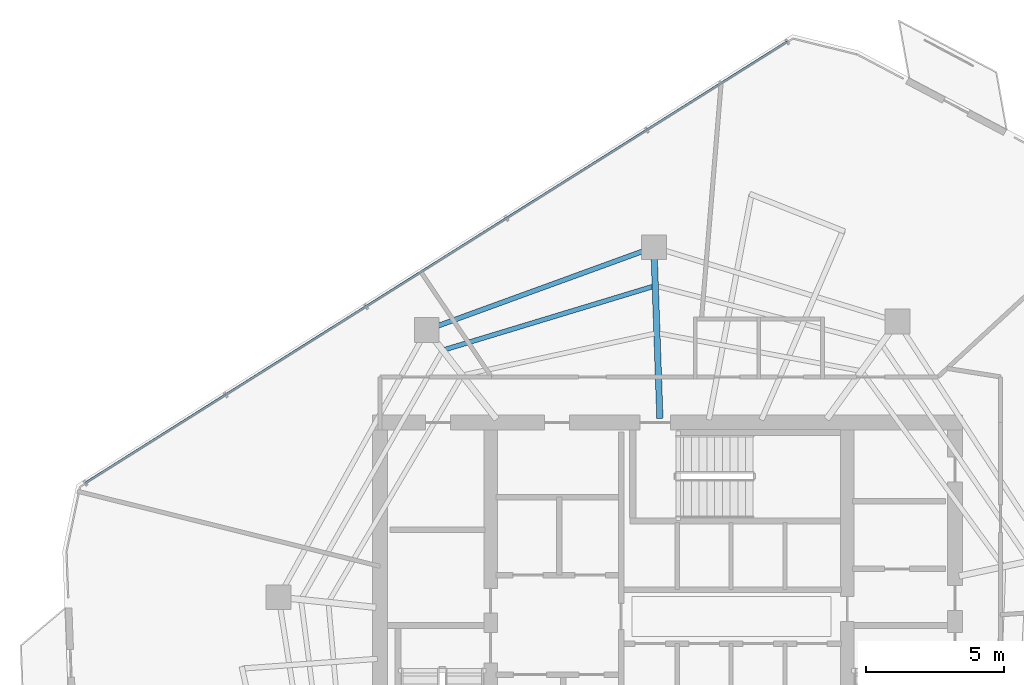
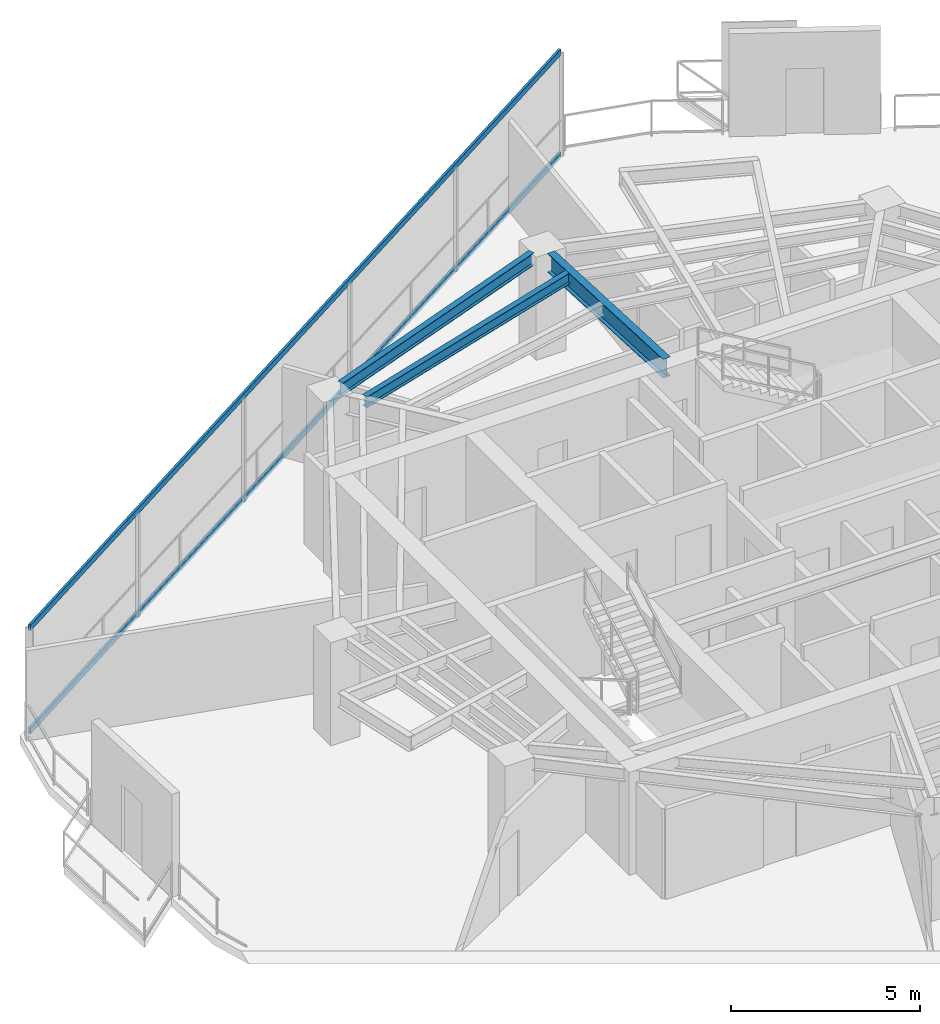
# One storey, part 11 of 19: 3 beams, 2 members, 1 element without a shape of its own.
"""IFC4 building model written with IfcOpenShell, lengths in metres."""

import ifcopenshell
import ifcopenshell.guid

model = None  # the IFC model being written
_history = None  # IfcOwnerHistory: only IFC2X3 demands one
_inside = {}  # id of a spatial element -> (the spatial element, [elements in it])
_under = {}  # id of a project, library or spatial element -> (it, [spatial elements below it])
_declared = {}  # id of a project -> (the project, [libraries it declares])
_typed = {}  # id of a type object -> (the type object, [elements of that type])
_made_of = {}  # id of a material, layer set ... -> (it, [elements and type objects made of it])


def new_model(schema):
    """Start an empty IFC model of exactly this schema.

    Asked for "IFC4X3", IfcOpenShell would pick the latest addendum, in which some entities
    have other attributes; the version numbers below select the first issue.
    IFC2X3 requires an IfcOwnerHistory on every rooted entity: one is made here for all.
    """
    global model, _history
    if schema == "IFC4X3":
        model = ifcopenshell.file(schema_version=(4, 3, 0, 0))
    else:
        model = ifcopenshell.file(schema=schema)
    _inside.clear()
    _under.clear()
    _declared.clear()
    _typed.clear()
    _made_of.clear()
    _history = None
    if model.schema == "IFC2X3":
        org = make("IfcOrganization", Name="unknown")
        user = make(
            "IfcPersonAndOrganization",
            ThePerson=make("IfcPerson", FamilyName="unknown"),
            TheOrganization=org,
        )
        app = make(
            "IfcApplication",
            ApplicationDeveloper=org,
            Version="unknown",
            ApplicationFullName="unknown",
            ApplicationIdentifier="unknown",
        )
        _history = make(
            "IfcOwnerHistory",
            OwningUser=user,
            OwningApplication=app,
            ChangeAction="ADDED",
            CreationDate=0,
        )
    return model


def make(cls, **values):
    """One entity of the class cls with the attributes given. An attribute that is None is left unset."""
    return model.create_entity(
        cls, **{name: value for name, value in values.items() if value is not None}
    )


def rooted(cls, **values):
    """An entity with a GlobalId (a new one), such as an element, a storey or a relation."""
    return make(cls, GlobalId=ifcopenshell.guid.new(), OwnerHistory=_history, **values)


def si_unit(unit_type, name, prefix=None):
    """IfcSIUnit, for example si_unit("LENGTHUNIT", "METRE", prefix="MILLI")."""
    return make("IfcSIUnit", UnitType=unit_type, Prefix=prefix, Name=name)


def assignment(units):
    """IfcUnitAssignment: the units of a project."""
    return None if units is None else make("IfcUnitAssignment", Units=units)


def point(xyz):
    """IfcCartesianPoint."""
    return None if xyz is None else make("IfcCartesianPoint", Coordinates=xyz)


def direction(xyz):
    """IfcDirection."""
    return None if xyz is None else make("IfcDirection", DirectionRatios=xyz)


def frame(location, z_axis=None, x_axis=None):
    """IfcAxis2Placement3D, a coordinate frame: its origin and axes. An axis left out is left unset."""
    return make(
        "IfcAxis2Placement3D",
        Location=point(location),
        Axis=direction(z_axis),
        RefDirection=direction(x_axis),
    )


def frame_2d(location, x_axis=None):
    """IfcAxis2Placement2D, a coordinate frame in the plane: its origin and x axis."""
    return make(
        "IfcAxis2Placement2D", Location=point(location), RefDirection=direction(x_axis)
    )


def origin():
    """The frame at (0, 0, 0) with its axes left unset."""
    return frame((0.0, 0.0, 0.0))


def origin_2d():
    """The frame at (0, 0) in the plane with its x axis left unset."""
    return frame_2d((0.0, 0.0))


def place(relative_to, where):
    """IfcLocalPlacement: puts the frame where relative to a parent placement (None: the world)."""
    return make(
        "IfcLocalPlacement", PlacementRelTo=relative_to, RelativePlacement=where
    )


def context(
    kind, dimensions, precision=None, world=None, true_north=None, identifier=None
):
    """IfcGeometricRepresentationContext, for example the 3D "Model" context."""
    return make(
        "IfcGeometricRepresentationContext",
        ContextIdentifier=identifier,
        ContextType=kind,
        CoordinateSpaceDimension=dimensions,
        Precision=precision,
        WorldCoordinateSystem=world,
        TrueNorth=true_north,
    )


def subcontext(parent, identifier, kind, view, scale=None):
    """IfcGeometricRepresentationSubContext, for example "Body" below "Model"."""
    return make(
        "IfcGeometricRepresentationSubContext",
        ContextIdentifier=identifier,
        ContextType=kind,
        ParentContext=parent,
        TargetScale=scale,
        TargetView=view,
    )


def project(units=None, contexts=None):
    """IfcProject with its units and contexts."""
    return rooted(
        "IfcProject",
        Name="project",
        RepresentationContexts=contexts,
        UnitsInContext=assignment(units),
    )


def spatial(cls, under=None, at=None, **own):
    """A site, building, storey or space (cls), placed at a placement, below another one or the project."""
    s = rooted(cls, ObjectPlacement=at, **own)
    if under is not None:
        _under.setdefault(under.id(), (under, []))[1].append(s)
    return s


def profile(cls, at=None, kind="AREA", **sizes):
    """A parametric profile (cls). Its sizes go by their IFC names, for example OverallWidth=200.0."""
    return make(cls, ProfileType=kind, Position=at, **sizes)


def hollow_rectangle(**sizes):
    """IfcRectangleHollowProfileDef."""
    return profile("IfcRectangleHollowProfileDef", **sizes)


def i_section(**sizes):
    """IfcIShapeProfileDef."""
    return profile("IfcIShapeProfileDef", **sizes)


def extrude(swept, where, along, depth):
    """IfcExtrudedAreaSolid: the profile swept, set in the frame where, extruded along a direction by depth."""
    return make(
        "IfcExtrudedAreaSolid",
        SweptArea=swept,
        Position=where,
        ExtrudedDirection=direction(along),
        Depth=depth,
    )


def shape(context_of_items, identifier, shape_type, items):
    """IfcShapeRepresentation: the items that make up one representation, for example the "Body"."""
    return make(
        "IfcShapeRepresentation",
        ContextOfItems=context_of_items,
        RepresentationIdentifier=identifier,
        RepresentationType=shape_type,
        Items=items,
    )


def material(Name=None, Category=None):
    """IfcMaterial."""
    return make("IfcMaterial", Name=Name, Category=Category)


def layer(
    of_material, thickness, ventilated=None, Name=None, Category=None, Priority=None
):
    """IfcMaterialLayer: one layer of a wall or slab, of a material (None: an air gap)."""
    return make(
        "IfcMaterialLayer",
        Material=of_material,
        LayerThickness=thickness,
        IsVentilated=ventilated,
        Name=Name,
        Category=Category,
        Priority=Priority,
    )


def layer_set(layers, Name=None):
    """IfcMaterialLayerSet."""
    return make("IfcMaterialLayerSet", MaterialLayers=layers, LayerSetName=Name)


def material_profile(
    of_material, cross_section, Name=None, Category=None, Priority=None
):
    """IfcMaterialProfile: a cross section and its material."""
    return make(
        "IfcMaterialProfile",
        Name=Name,
        Material=of_material,
        Profile=cross_section,
        Priority=Priority,
        Category=Category,
    )


def profile_set(profiles, Name=None, composite=None):
    """IfcMaterialProfileSet."""
    return make(
        "IfcMaterialProfileSet",
        Name=Name,
        MaterialProfiles=profiles,
        CompositeProfile=composite,
    )


def made_of(thing, what):
    """Note that an element or type object is made of a material, layer set ...; save() writes the relation."""
    if what is not None:
        _made_of.setdefault(what.id(), (what, []))[1].append(thing)
    return thing


def type_object(cls, material=None, **own):
    """A type object (cls), such as IfcWallType, which elements share."""
    return made_of(rooted(cls, **own), material)


def element(
    cls,
    number,
    at=None,
    inside=None,
    cuts=None,
    type_object=None,
    material=None,
    context=None,
    identifier="Body",
    shape_type=None,
    held_by="IfcProductDefinitionShape",
    body=None,
    shapes=None,
    **own,
):
    """One element of the class cls, such as IfcWall. Its Tag is "e" and its number.

    at: its placement. inside: the storey or other place that contains it. cuts: it is an
    opening in that element (IfcRelVoidsElement). A single representation is given by context,
    identifier, shape_type and body (its items); several are given by shapes. held_by: the class
    of the entity that holds the representations. save() writes the other relations.
    """
    e = rooted(cls, Tag="e%d" % number, ObjectPlacement=at, **own)
    if body is not None:
        shapes = [shape(context, identifier, shape_type, body)]
    if shapes is not None:
        e.Representation = make(held_by, Representations=shapes)
    if inside is not None:
        _inside.setdefault(inside.id(), (inside, []))[1].append(e)
    if cuts is not None:
        rooted(
            "IfcRelVoidsElement", RelatingBuildingElement=cuts, RelatedOpeningElement=e
        )
    if type_object is not None:
        _typed.setdefault(type_object.id(), (type_object, []))[1].append(e)
    return made_of(e, material)


def aggregate(whole, parts):
    """IfcRelAggregates: a whole, such as a stair, and the parts it consists of."""
    return rooted("IfcRelAggregates", RelatingObject=whole, RelatedObjects=parts)


def save(model, path):
    """Write the relations noted so far, then the file.

    IfcRelAggregates (storeys below a building ...), IfcRelContainedInSpatialStructure (elements
    in a storey), IfcRelDefinesByType, IfcRelAssociatesMaterial and IfcRelDeclares: one each for
    every whole, place, type object, material and project.
    """
    for whole, parts in _under.values():
        aggregate(whole, parts)
    for where, things in _inside.values():
        rooted(
            "IfcRelContainedInSpatialStructure",
            RelatedElements=things,
            RelatingStructure=where,
        )
    for kind, things in _typed.values():
        rooted("IfcRelDefinesByType", RelatedObjects=things, RelatingType=kind)
    for what, things in _made_of.values():
        rooted("IfcRelAssociatesMaterial", RelatedObjects=things, RelatingMaterial=what)
    for by, libraries in _declared.values():
        rooted("IfcRelDeclares", RelatingContext=by, RelatedDefinitions=libraries)
    model.write(path)


model = new_model("IFC4")

# Units and contexts
model_context = context("Model", 3, precision=1e-05, world=origin(), true_north=direction((0.0, 1.0)))
body_context = subcontext(model_context, "Body", "Model", "MODEL_VIEW")
ifc_project = project(units=[si_unit("LENGTHUNIT", "METRE"), si_unit("AREAUNIT", "SQUARE_METRE"), si_unit("VOLUMEUNIT", "CUBIC_METRE"), si_unit("PLANEANGLEUNIT", "RADIAN"), si_unit("MASSUNIT", "GRAM", prefix="KILO")], contexts=[model_context])

# Site, building, storey
site_placement = place(None, origin())
site = spatial("IfcSite", under=ifc_project, at=site_placement, CompositionType="ELEMENT")
building_placement = place(site_placement, origin())
building = spatial("IfcBuilding", under=site, at=building_placement, Name="Qarnah Convention Tower", CompositionType="ELEMENT")
storey_placement = place(building_placement, frame((0.0, 0.0, 187.800048828125)))
storey = spatial("IfcBuildingStorey", under=building, at=storey_placement, Name="L50", CompositionType="ELEMENT", Elevation=187.800048828125)

# Beams
ifc_material_1 = material(Name="Structural steel S355JR", Category="steel")
ifc_material_profile_1 = material_profile(ifc_material_1, i_section(OverallWidth=0.172119140625, OverallDepth=0.35595703125, WebThickness=0.007080078125, FlangeThickness=0.011962890625, at=origin_2d()), Name="W360X51")
ifc_profile_set_1 = profile_set([ifc_material_profile_1], Name="Structural steel S355JR")
beam_type_1 = type_object("IfcBeamType", Name="BM-JST-W360", PredefinedType="JOIST", material=ifc_profile_set_1)
beam_1_placement = place(storey_placement, frame((36.6689453125, 39.1201171875, 3.141845703125), z_axis=(-0.956935771125, -0.290299724321, 0.0), x_axis=(0.290299724321, -0.956935771125, 0.0)))
element("IfcBeam", 1, at=beam_1_placement, inside=storey, type_object=beam_type_1, Name="L50 joist BM-L50-SJST-03", PredefinedType="JOIST", context=body_context, shape_type="SweptSolid", body=[
    extrude(i_section(OverallWidth=0.172119140625, OverallDepth=0.35595703125, WebThickness=0.007080078125, FlangeThickness=0.011962890625, at=origin_2d()), origin(), (0.0, 0.0, 1.0), 7.857421875),
])
ifc_material_profile_2 = material_profile(ifc_material_1, i_section(OverallWidth=0.22802734375, OverallDepth=0.60791015625, WebThickness=0.010986328125, FlangeThickness=0.01708984375, at=origin_2d()), Name="W610X113")
ifc_profile_set_2 = profile_set([ifc_material_profile_2], Name="Structural steel S355JR")
beam_type_2 = type_object("IfcBeamType", Name="BM-RAD-W610B", PredefinedType="BEAM", material=ifc_profile_set_2)
beam_2_placement = place(storey_placement, frame((36.923095703125, 34.35009765625, 3.015869140625), z_axis=(-0.035067624348, 0.999384941713, 0.0), x_axis=(-0.999384941713, -0.035067624348, 0.0)))
element("IfcBeam", 2, at=beam_2_placement, inside=storey, type_object=beam_type_2, Name="L50 beam BM-L50-RAD-03", PredefinedType="BEAM", context=body_context, shape_type="SweptSolid", body=[
    extrude(i_section(OverallWidth=0.22802734375, OverallDepth=0.60791015625, WebThickness=0.010986328125, FlangeThickness=0.01708984375, at=origin_2d()), origin(), (0.0, 0.0, 1.0), 5.7646484375),
])
ifc_material_profile_3 = material_profile(ifc_material_1, i_section(OverallWidth=0.179931640625, OverallDepth=0.39990234375, WebThickness=0.009033203125, FlangeThickness=0.013916015625, at=origin_2d()), Name="IPE400")
ifc_profile_set_3 = profile_set([ifc_material_profile_3], Name="Structural steel S355JR")
beam_type_3 = type_object("IfcBeamType", Name="BM-SPN-IPE400", PredefinedType="SPANDREL", material=ifc_profile_set_3)
beam_3_placement = place(storey_placement, frame((36.29296875, 40.39111328125, 3.119873046875), z_axis=(-0.939665594936, -0.342094387112, 0.0), x_axis=(0.342094387112, -0.939665594936, 0.0)))
element("IfcBeam", 3, at=beam_3_placement, inside=storey, type_object=beam_type_3, Name="L50 spandrel BM-L50-SPN-03", PredefinedType="SPANDREL", context=body_context, shape_type="SweptSolid", body=[
    extrude(i_section(OverallWidth=0.179931640625, OverallDepth=0.39990234375, WebThickness=0.009033203125, FlangeThickness=0.013916015625, at=origin_2d()), origin(), (0.0, 0.0, 1.0), 7.86669921875),
])

# Curtain wall, members
ifc_material_2 = material(Name="Tempered Low-E dark glass", Category="glass")
ifc_layer = layer(ifc_material_2, 0.174072265625)
ifc_layer_set = layer_set([ifc_layer], Name="Tempered Low-E dark glass")
curtain_wall_type = type_object("IfcCurtainWallType", Name="CWS-04", PredefinedType="NOTDEFINED", material=ifc_layer_set)
curtain_wall_placement = place(storey_placement, origin())
curtain_wall = element("IfcCurtainWall", 4, at=curtain_wall_placement, inside=storey, type_object=curtain_wall_type, Name="L50 unitised curtain wall CW-L50-F3", PredefinedType="NOTDEFINED")
ifc_material_3 = material(Name="Black anodised aluminium", Category="aluminium")
ifc_material_profile_4 = material_profile(ifc_material_3, hollow_rectangle(XDim=0.074951171875, YDim=0.18994140625, WallThickness=0.0048828125, at=origin_2d()), Name="TRN-75X190")
ifc_profile_set_4 = profile_set([ifc_material_profile_4], Name="Black anodised aluminium")
member_type = type_object("IfcMemberType", Name="TRN-T4", PredefinedType="USERDEFINED", material=ifc_profile_set_4)
member_1_placement = place(storey_placement, frame((16.135986328125, 32.012939453125, 0.0), z_axis=(0.846565179549, 0.532285070968, 0.0), x_axis=(-0.532285070968, 0.846565179549, 0.0)))
member_1 = element("IfcMember", 5, at=member_1_placement, type_object=member_type, Name="CW-L50-F3 transom 1", ObjectType="TRANSOM", PredefinedType="USERDEFINED", context=body_context, shape_type="SweptSolid", body=[
    extrude(hollow_rectangle(XDim=0.074951171875, YDim=0.18994140625, WallThickness=0.0048828125, at=origin_2d()), origin(), (0.0, 0.0, 1.0), 29.99169921875),
])
member_2_placement = place(storey_placement, frame((16.135986328125, 32.012939453125, 3.320068359375), z_axis=(0.846565179549, 0.532285070968, 0.0), x_axis=(-0.532285070968, 0.846565179549, 0.0)))
member_2 = element("IfcMember", 6, at=member_2_placement, type_object=member_type, Name="CW-L50-F3 transom 2", ObjectType="TRANSOM", PredefinedType="USERDEFINED", context=body_context, shape_type="SweptSolid", body=[
    extrude(hollow_rectangle(XDim=0.074951171875, YDim=0.18994140625, WallThickness=0.0048828125, at=origin_2d()), origin(), (0.0, 0.0, 1.0), 29.99169921875),
])
aggregate(curtain_wall, [member_1, member_2])

save(model, "model.ifc")
